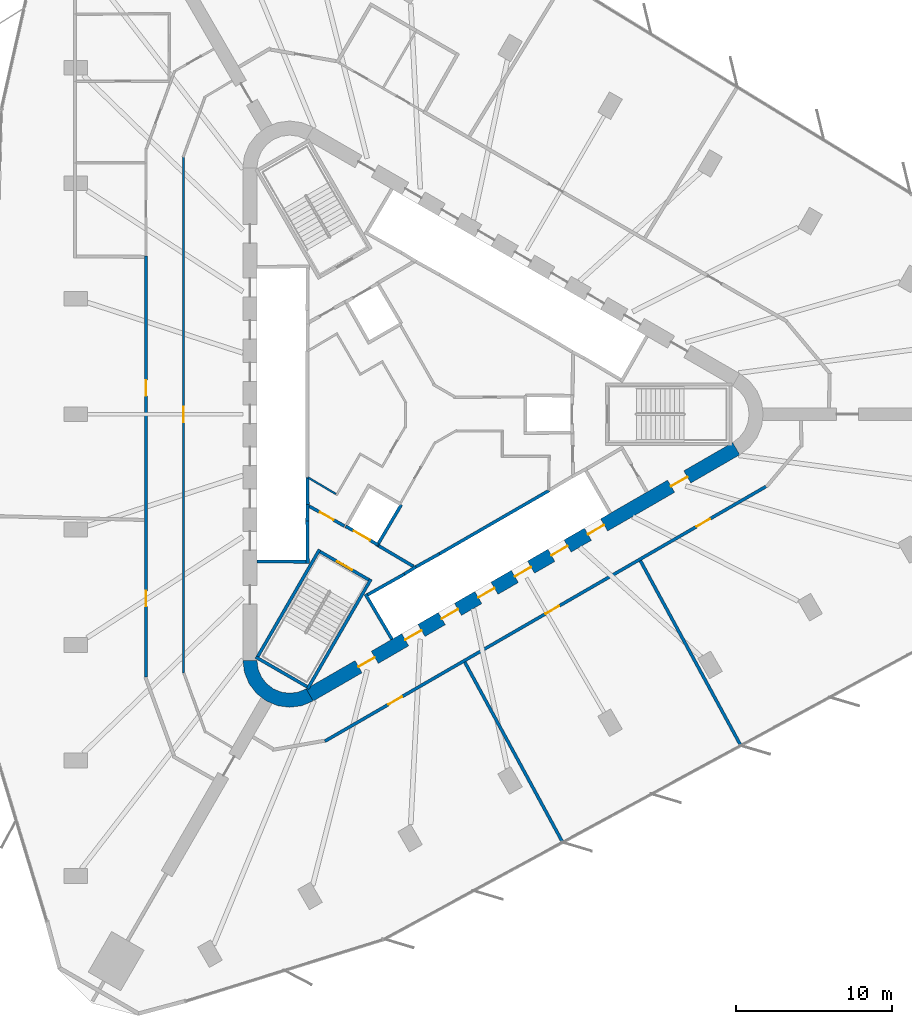
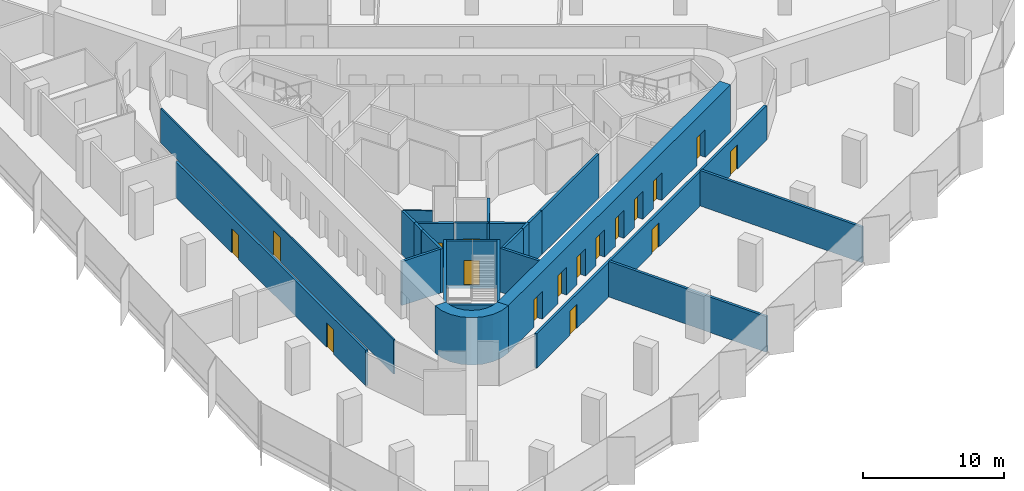
# One storey, part 9 of 14: 25 walls, 17 doors, 17 openings.
"""IFC4 building model written with IfcOpenShell, lengths in metres."""

import ifcopenshell
import ifcopenshell.guid

model = None  # the IFC model being written
_history = None  # IfcOwnerHistory: only IFC2X3 demands one
_inside = {}  # id of a spatial element -> (the spatial element, [elements in it])
_under = {}  # id of a project, library or spatial element -> (it, [spatial elements below it])
_declared = {}  # id of a project -> (the project, [libraries it declares])
_typed = {}  # id of a type object -> (the type object, [elements of that type])
_made_of = {}  # id of a material, layer set ... -> (it, [elements and type objects made of it])


def new_model(schema):
    """Start an empty IFC model of exactly this schema.

    Asked for "IFC4X3", IfcOpenShell would pick the latest addendum, in which some entities
    have other attributes; the version numbers below select the first issue.
    IFC2X3 requires an IfcOwnerHistory on every rooted entity: one is made here for all.
    """
    global model, _history
    if schema == "IFC4X3":
        model = ifcopenshell.file(schema_version=(4, 3, 0, 0))
    else:
        model = ifcopenshell.file(schema=schema)
    _inside.clear()
    _under.clear()
    _declared.clear()
    _typed.clear()
    _made_of.clear()
    _history = None
    if model.schema == "IFC2X3":
        org = make("IfcOrganization", Name="unknown")
        user = make(
            "IfcPersonAndOrganization",
            ThePerson=make("IfcPerson", FamilyName="unknown"),
            TheOrganization=org,
        )
        app = make(
            "IfcApplication",
            ApplicationDeveloper=org,
            Version="unknown",
            ApplicationFullName="unknown",
            ApplicationIdentifier="unknown",
        )
        _history = make(
            "IfcOwnerHistory",
            OwningUser=user,
            OwningApplication=app,
            ChangeAction="ADDED",
            CreationDate=0,
        )
    return model


def make(cls, **values):
    """One entity of the class cls with the attributes given. An attribute that is None is left unset."""
    return model.create_entity(
        cls, **{name: value for name, value in values.items() if value is not None}
    )


def rooted(cls, **values):
    """An entity with a GlobalId (a new one), such as an element, a storey or a relation."""
    return make(cls, GlobalId=ifcopenshell.guid.new(), OwnerHistory=_history, **values)


def si_unit(unit_type, name, prefix=None):
    """IfcSIUnit, for example si_unit("LENGTHUNIT", "METRE", prefix="MILLI")."""
    return make("IfcSIUnit", UnitType=unit_type, Prefix=prefix, Name=name)


def assignment(units):
    """IfcUnitAssignment: the units of a project."""
    return None if units is None else make("IfcUnitAssignment", Units=units)


def point(xyz):
    """IfcCartesianPoint."""
    return None if xyz is None else make("IfcCartesianPoint", Coordinates=xyz)


def direction(xyz):
    """IfcDirection."""
    return None if xyz is None else make("IfcDirection", DirectionRatios=xyz)


def frame(location, z_axis=None, x_axis=None):
    """IfcAxis2Placement3D, a coordinate frame: its origin and axes. An axis left out is left unset."""
    return make(
        "IfcAxis2Placement3D",
        Location=point(location),
        Axis=direction(z_axis),
        RefDirection=direction(x_axis),
    )


def frame_2d(location, x_axis=None):
    """IfcAxis2Placement2D, a coordinate frame in the plane: its origin and x axis."""
    return make(
        "IfcAxis2Placement2D", Location=point(location), RefDirection=direction(x_axis)
    )


def origin():
    """The frame at (0, 0, 0) with its axes left unset."""
    return frame((0.0, 0.0, 0.0))


def place(relative_to, where):
    """IfcLocalPlacement: puts the frame where relative to a parent placement (None: the world)."""
    return make(
        "IfcLocalPlacement", PlacementRelTo=relative_to, RelativePlacement=where
    )


def context(
    kind, dimensions, precision=None, world=None, true_north=None, identifier=None
):
    """IfcGeometricRepresentationContext, for example the 3D "Model" context."""
    return make(
        "IfcGeometricRepresentationContext",
        ContextIdentifier=identifier,
        ContextType=kind,
        CoordinateSpaceDimension=dimensions,
        Precision=precision,
        WorldCoordinateSystem=world,
        TrueNorth=true_north,
    )


def subcontext(parent, identifier, kind, view, scale=None):
    """IfcGeometricRepresentationSubContext, for example "Body" below "Model"."""
    return make(
        "IfcGeometricRepresentationSubContext",
        ContextIdentifier=identifier,
        ContextType=kind,
        ParentContext=parent,
        TargetScale=scale,
        TargetView=view,
    )


def project(units=None, contexts=None):
    """IfcProject with its units and contexts."""
    return rooted(
        "IfcProject",
        Name="project",
        RepresentationContexts=contexts,
        UnitsInContext=assignment(units),
    )


def spatial(cls, under=None, at=None, **own):
    """A site, building, storey or space (cls), placed at a placement, below another one or the project."""
    s = rooted(cls, ObjectPlacement=at, **own)
    if under is not None:
        _under.setdefault(under.id(), (under, []))[1].append(s)
    return s


def polyline(points):
    """IfcPolyline through the points."""
    return make("IfcPolyline", Points=[point(p) for p in points])


def profile(cls, at=None, kind="AREA", **sizes):
    """A parametric profile (cls). Its sizes go by their IFC names, for example OverallWidth=200.0."""
    return make(cls, ProfileType=kind, Position=at, **sizes)


def rectangle(**sizes):
    """IfcRectangleProfileDef."""
    return profile("IfcRectangleProfileDef", **sizes)


def outline(outer, holes=None, kind="AREA"):
    """IfcArbitraryClosedProfileDef: a profile drawn as a closed curve; with holes, ...WithVoids."""
    if holes is None:
        return make("IfcArbitraryClosedProfileDef", ProfileType=kind, OuterCurve=outer)
    return make(
        "IfcArbitraryProfileDefWithVoids",
        ProfileType=kind,
        OuterCurve=outer,
        InnerCurves=holes,
    )


def extrude(swept, where, along, depth):
    """IfcExtrudedAreaSolid: the profile swept, set in the frame where, extruded along a direction by depth."""
    return make(
        "IfcExtrudedAreaSolid",
        SweptArea=swept,
        Position=where,
        ExtrudedDirection=direction(along),
        Depth=depth,
    )


def shape(context_of_items, identifier, shape_type, items):
    """IfcShapeRepresentation: the items that make up one representation, for example the "Body"."""
    return make(
        "IfcShapeRepresentation",
        ContextOfItems=context_of_items,
        RepresentationIdentifier=identifier,
        RepresentationType=shape_type,
        Items=items,
    )


def material(Name=None, Category=None):
    """IfcMaterial."""
    return make("IfcMaterial", Name=Name, Category=Category)


def layer(
    of_material, thickness, ventilated=None, Name=None, Category=None, Priority=None
):
    """IfcMaterialLayer: one layer of a wall or slab, of a material (None: an air gap)."""
    return make(
        "IfcMaterialLayer",
        Material=of_material,
        LayerThickness=thickness,
        IsVentilated=ventilated,
        Name=Name,
        Category=Category,
        Priority=Priority,
    )


def layer_set(layers, Name=None):
    """IfcMaterialLayerSet."""
    return make("IfcMaterialLayerSet", MaterialLayers=layers, LayerSetName=Name)


def made_of(thing, what):
    """Note that an element or type object is made of a material, layer set ...; save() writes the relation."""
    if what is not None:
        _made_of.setdefault(what.id(), (what, []))[1].append(thing)
    return thing


def type_object(cls, material=None, **own):
    """A type object (cls), such as IfcWallType, which elements share."""
    return made_of(rooted(cls, **own), material)


def element(
    cls,
    number,
    at=None,
    inside=None,
    cuts=None,
    type_object=None,
    material=None,
    context=None,
    identifier="Body",
    shape_type=None,
    held_by="IfcProductDefinitionShape",
    body=None,
    shapes=None,
    **own,
):
    """One element of the class cls, such as IfcWall. Its Tag is "e" and its number.

    at: its placement. inside: the storey or other place that contains it. cuts: it is an
    opening in that element (IfcRelVoidsElement). A single representation is given by context,
    identifier, shape_type and body (its items); several are given by shapes. held_by: the class
    of the entity that holds the representations. save() writes the other relations.
    """
    e = rooted(cls, Tag="e%d" % number, ObjectPlacement=at, **own)
    if body is not None:
        shapes = [shape(context, identifier, shape_type, body)]
    if shapes is not None:
        e.Representation = make(held_by, Representations=shapes)
    if inside is not None:
        _inside.setdefault(inside.id(), (inside, []))[1].append(e)
    if cuts is not None:
        rooted(
            "IfcRelVoidsElement", RelatingBuildingElement=cuts, RelatedOpeningElement=e
        )
    if type_object is not None:
        _typed.setdefault(type_object.id(), (type_object, []))[1].append(e)
    return made_of(e, material)


def fill(opening, filler):
    """IfcRelFillsElement: the door or window that sits in an opening."""
    return rooted(
        "IfcRelFillsElement",
        RelatingOpeningElement=opening,
        RelatedBuildingElement=filler,
    )


def aggregate(whole, parts):
    """IfcRelAggregates: a whole, such as a stair, and the parts it consists of."""
    return rooted("IfcRelAggregates", RelatingObject=whole, RelatedObjects=parts)


def save(model, path):
    """Write the relations noted so far, then the file.

    IfcRelAggregates (storeys below a building ...), IfcRelContainedInSpatialStructure (elements
    in a storey), IfcRelDefinesByType, IfcRelAssociatesMaterial and IfcRelDeclares: one each for
    every whole, place, type object, material and project.
    """
    for whole, parts in _under.values():
        aggregate(whole, parts)
    for where, things in _inside.values():
        rooted(
            "IfcRelContainedInSpatialStructure",
            RelatedElements=things,
            RelatingStructure=where,
        )
    for kind, things in _typed.values():
        rooted("IfcRelDefinesByType", RelatedObjects=things, RelatingType=kind)
    for what, things in _made_of.values():
        rooted("IfcRelAssociatesMaterial", RelatedObjects=things, RelatingMaterial=what)
    for by, libraries in _declared.values():
        rooted("IfcRelDeclares", RelatingContext=by, RelatedDefinitions=libraries)
    model.write(path)


model = new_model("IFC4")

# Units and contexts
model_context = context("Model", 3, precision=1e-05, world=origin(), true_north=direction((0.0, 1.0)))
body_context = subcontext(model_context, "Body", "Model", "MODEL_VIEW")
ifc_project = project(units=[si_unit("LENGTHUNIT", "METRE"), si_unit("AREAUNIT", "SQUARE_METRE"), si_unit("VOLUMEUNIT", "CUBIC_METRE"), si_unit("PLANEANGLEUNIT", "RADIAN"), si_unit("MASSUNIT", "GRAM", prefix="KILO")], contexts=[model_context])

# Site, building, storey
site_placement = place(None, origin())
site = spatial("IfcSite", under=ifc_project, at=site_placement, CompositionType="ELEMENT")
building_placement = place(site_placement, origin())
building = spatial("IfcBuilding", under=site, at=building_placement, Name="Tanit Gate Tower", CompositionType="ELEMENT")
storey_placement = place(building_placement, frame((0.0, 0.0, 123.39990234375)))
storey = spatial("IfcBuildingStorey", under=building, at=storey_placement, Name="L26", CompositionType="ELEMENT", Elevation=123.39990234375)

# Wall, openings, doors
ifc_material_1 = material(Name="Concrete C60/75", Category="concrete")
ifc_layer_1 = layer(ifc_material_1, 0.89990234375)
ifc_layer_set_1 = layer_set([ifc_layer_1], Name="CORE WALL 900 C60/75")
wall_type_1 = type_object("IfcWallType", Name="CORE WALL 900 C60/75", PredefinedType="SHEAR", material=ifc_layer_set_1)
wall_1_placement = place(storey_placement, frame((-7.824951171875, -17.969970703125, 0.0), z_axis=(0.0, 0.0, 1.0), x_axis=(0.866028369851, 0.499994862586, 0.0)))
wall_1 = element("IfcWall", 1, at=wall_1_placement, inside=storey, type_object=wall_type_1, Name="CORE WALL", PredefinedType="SHEAR", context=body_context, shape_type="SweptSolid", body=[
    extrude(rectangle(XDim=31.523193359375, YDim=0.89990234375, at=frame_2d((15.76171875, 0.0))), origin(), (0.0, 0.0, 1.0), 4.10009765625),
])
opening_1_placement = place(wall_1_placement, frame((7.061767578125, 0.0, 0.0)))
opening_1 = element("IfcOpeningElement", 2, at=opening_1_placement, cuts=wall_1, Name="Opening LDSX1-S06", PredefinedType="OPENING", context=body_context, shape_type="SweptSolid", body=[
    extrude(rectangle(XDim=1.199951171875, YDim=2.39990234375, at=frame_2d((0.60009765625, 1.199951171875))), frame((0.0, 0.4599609375, 0.0), z_axis=(0.0, -1.0, 0.0), x_axis=(1.0, 0.0, 0.0)), (0.0, 0.0, 1.0), 0.919921875),
])
opening_2_placement = place(wall_1_placement, frame((9.76171875, 0.0, 0.0)))
opening_2 = element("IfcOpeningElement", 3, at=opening_2_placement, cuts=wall_1, Name="Opening LDSX2-S06", PredefinedType="OPENING", context=body_context, shape_type="SweptSolid", body=[
    extrude(rectangle(XDim=1.199951171875, YDim=2.39990234375, at=frame_2d((0.60009765625, 1.199951171875))), frame((0.0, 0.4599609375, 0.0), z_axis=(0.0, -1.0, 0.0), x_axis=(1.0, 0.0, 0.0)), (0.0, 0.0, 1.0), 0.919921875),
])
opening_3_placement = place(wall_1_placement, frame((12.461669921875, 0.0, 0.0)))
opening_3 = element("IfcOpeningElement", 4, at=opening_3_placement, cuts=wall_1, Name="Opening LDSX3-S06", PredefinedType="OPENING", context=body_context, shape_type="SweptSolid", body=[
    extrude(rectangle(XDim=1.199951171875, YDim=2.39990234375, at=frame_2d((0.60009765625, 1.199951171875))), frame((0.0, 0.4599609375, 0.0), z_axis=(0.0, -1.0, 0.0), x_axis=(1.0, 0.0, 0.0)), (0.0, 0.0, 1.0), 0.919921875),
])
opening_4_placement = place(wall_1_placement, frame((15.16162109375, 0.0, 0.0)))
opening_4 = element("IfcOpeningElement", 5, at=opening_4_placement, cuts=wall_1, Name="Opening LDSX4-S06", PredefinedType="OPENING", context=body_context, shape_type="SweptSolid", body=[
    extrude(rectangle(XDim=1.199951171875, YDim=2.39990234375, at=frame_2d((0.60009765625, 1.199951171875))), frame((0.0, 0.4599609375, 0.0), z_axis=(0.0, -1.0, 0.0), x_axis=(1.0, 0.0, 0.0)), (0.0, 0.0, 1.0), 0.919921875),
])
opening_5_placement = place(wall_1_placement, frame((17.861572265625, 0.0, 0.0)))
opening_5 = element("IfcOpeningElement", 6, at=opening_5_placement, cuts=wall_1, Name="Opening LDSV1-S06", PredefinedType="OPENING", context=body_context, shape_type="SweptSolid", body=[
    extrude(rectangle(XDim=1.199951171875, YDim=2.39990234375, at=frame_2d((0.60009765625, 1.199951171875))), frame((0.0, 0.4599609375, 0.0), z_axis=(0.0, -1.0, 0.0), x_axis=(1.0, 0.0, 0.0)), (0.0, 0.0, 1.0), 0.919921875),
])
opening_6_placement = place(wall_1_placement, frame((20.561767578125, 0.0, 0.0)))
opening_6 = element("IfcOpeningElement", 7, at=opening_6_placement, cuts=wall_1, Name="Opening LDSV2-S06", PredefinedType="OPENING", context=body_context, shape_type="SweptSolid", body=[
    extrude(rectangle(XDim=1.199951171875, YDim=2.39990234375, at=frame_2d((0.60009765625, 1.199951171875))), frame((0.0, 0.4599609375, 0.0), z_axis=(0.0, -1.0, 0.0), x_axis=(1.0, 0.0, 0.0)), (0.0, 0.0, 1.0), 0.919921875),
])
opening_7_placement = place(wall_1_placement, frame((26.711669921875, 0.0, 0.0)))
opening_7 = element("IfcOpeningElement", 8, at=opening_7_placement, cuts=wall_1, Name="Opening F12-S06-S1", PredefinedType="OPENING", context=body_context, shape_type="SweptSolid", body=[
    extrude(rectangle(XDim=1.199951171875, YDim=2.39990234375, at=frame_2d((0.60009765625, 1.199951171875))), frame((0.0, 0.4599609375, 0.0), z_axis=(0.0, -1.0, 0.0), x_axis=(1.0, 0.0, 0.0)), (0.0, 0.0, 1.0), 0.919921875),
])
opening_8_placement = place(wall_1_placement, frame((3.611572265625, 0.0, 0.0)))
opening_8 = element("IfcOpeningElement", 9, at=opening_8_placement, cuts=wall_1, Name="Opening F12-S06-FL3", PredefinedType="OPENING", context=body_context, shape_type="SweptSolid", body=[
    extrude(rectangle(XDim=1.199951171875, YDim=2.39990234375, at=frame_2d((0.60009765625, 1.199951171875))), frame((0.0, 0.4599609375, 0.0), z_axis=(0.0, -1.0, 0.0), x_axis=(1.0, 0.0, 0.0)), (0.0, 0.0, 1.0), 0.919921875),
])
ifc_material_2 = material(Name="Fire-rated steel door leaf", Category="steel")
door_type_1 = type_object("IfcDoorType", Name="INT-DOOR-FIRE-LOBBY-1200", OperationType="NOTDEFINED", PredefinedType="USERDEFINED", material=ifc_material_2)
door_1_placement = place(opening_7_placement, origin())
door_1 = element("IfcDoor", 10, at=door_1_placement, inside=storey, type_object=door_type_1, Name="Door F12-S06-S1", ObjectType="FIRE DOOR", OperationType="SINGLE_SWING_RIGHT", OverallHeight=2.39990234375, OverallWidth=1.199951171875, PredefinedType="USERDEFINED", context=body_context, shape_type="SweptSolid", body=[
    extrude(rectangle(XDim=1.199951171875, YDim=2.39990234375, at=frame_2d((0.60009765625, 1.199951171875))), frame((0.0, 0.02490234375, 0.0), z_axis=(0.0, -1.0, 0.0), x_axis=(1.0, 0.0, 0.0)), (0.0, 0.0, 1.0), 0.050048828125),
])
fill(opening_7, door_1)
door_2_placement = place(opening_8_placement, origin())
door_2 = element("IfcDoor", 11, at=door_2_placement, inside=storey, type_object=door_type_1, Name="Door F12-S06-FL3", ObjectType="FIRE DOOR", OperationType="SINGLE_SWING_RIGHT", OverallHeight=2.39990234375, OverallWidth=1.199951171875, PredefinedType="USERDEFINED", context=body_context, shape_type="SweptSolid", body=[
    extrude(rectangle(XDim=1.199951171875, YDim=2.39990234375, at=frame_2d((0.60009765625, 1.199951171875))), frame((0.0, 0.02490234375, 0.0), z_axis=(0.0, -1.0, 0.0), x_axis=(1.0, 0.0, 0.0)), (0.0, 0.0, 1.0), 0.050048828125),
])
fill(opening_8, door_2)
ifc_material_3 = material(Name="Stainless steel sliding door leaf", Category="steel")
door_type_2 = type_object("IfcDoorType", Name="INT-DOOR-LANDING-1200", OperationType="NOTDEFINED", PredefinedType="USERDEFINED", material=ifc_material_3)
door_3_placement = place(opening_1_placement, origin())
door_3 = element("IfcDoor", 12, at=door_3_placement, inside=storey, type_object=door_type_2, Name="Door LDSX1-S06", ObjectType="LANDING DOOR", OperationType="SLIDING_TO_LEFT", OverallHeight=2.39990234375, OverallWidth=1.199951171875, PredefinedType="USERDEFINED", context=body_context, shape_type="SweptSolid", body=[
    extrude(rectangle(XDim=1.199951171875, YDim=2.39990234375, at=frame_2d((0.60009765625, 1.199951171875))), frame((0.0, 0.02490234375, 0.0), z_axis=(0.0, -1.0, 0.0), x_axis=(1.0, 0.0, 0.0)), (0.0, 0.0, 1.0), 0.050048828125),
])
fill(opening_1, door_3)
door_4_placement = place(opening_2_placement, origin())
door_4 = element("IfcDoor", 13, at=door_4_placement, inside=storey, type_object=door_type_2, Name="Door LDSX2-S06", ObjectType="LANDING DOOR", OperationType="SLIDING_TO_LEFT", OverallHeight=2.39990234375, OverallWidth=1.199951171875, PredefinedType="USERDEFINED", context=body_context, shape_type="SweptSolid", body=[
    extrude(rectangle(XDim=1.199951171875, YDim=2.39990234375, at=frame_2d((0.60009765625, 1.199951171875))), frame((0.0, 0.02490234375, 0.0), z_axis=(0.0, -1.0, 0.0), x_axis=(1.0, 0.0, 0.0)), (0.0, 0.0, 1.0), 0.050048828125),
])
fill(opening_2, door_4)
door_5_placement = place(opening_3_placement, origin())
door_5 = element("IfcDoor", 14, at=door_5_placement, inside=storey, type_object=door_type_2, Name="Door LDSX3-S06", ObjectType="LANDING DOOR", OperationType="SLIDING_TO_LEFT", OverallHeight=2.39990234375, OverallWidth=1.199951171875, PredefinedType="USERDEFINED", context=body_context, shape_type="SweptSolid", body=[
    extrude(rectangle(XDim=1.199951171875, YDim=2.39990234375, at=frame_2d((0.60009765625, 1.199951171875))), frame((0.0, 0.02490234375, 0.0), z_axis=(0.0, -1.0, 0.0), x_axis=(1.0, 0.0, 0.0)), (0.0, 0.0, 1.0), 0.050048828125),
])
fill(opening_3, door_5)
door_6_placement = place(opening_4_placement, origin())
door_6 = element("IfcDoor", 15, at=door_6_placement, inside=storey, type_object=door_type_2, Name="Door LDSX4-S06", ObjectType="LANDING DOOR", OperationType="SLIDING_TO_LEFT", OverallHeight=2.39990234375, OverallWidth=1.199951171875, PredefinedType="USERDEFINED", context=body_context, shape_type="SweptSolid", body=[
    extrude(rectangle(XDim=1.199951171875, YDim=2.39990234375, at=frame_2d((0.60009765625, 1.199951171875))), frame((0.0, 0.02490234375, 0.0), z_axis=(0.0, -1.0, 0.0), x_axis=(1.0, 0.0, 0.0)), (0.0, 0.0, 1.0), 0.050048828125),
])
fill(opening_4, door_6)
door_7_placement = place(opening_5_placement, origin())
door_7 = element("IfcDoor", 16, at=door_7_placement, inside=storey, type_object=door_type_2, Name="Door LDSV1-S06", ObjectType="LANDING DOOR", OperationType="SLIDING_TO_LEFT", OverallHeight=2.39990234375, OverallWidth=1.199951171875, PredefinedType="USERDEFINED", context=body_context, shape_type="SweptSolid", body=[
    extrude(rectangle(XDim=1.199951171875, YDim=2.39990234375, at=frame_2d((0.60009765625, 1.199951171875))), frame((0.0, 0.02490234375, 0.0), z_axis=(0.0, -1.0, 0.0), x_axis=(1.0, 0.0, 0.0)), (0.0, 0.0, 1.0), 0.050048828125),
])
fill(opening_5, door_7)
door_8_placement = place(opening_6_placement, origin())
door_8 = element("IfcDoor", 17, at=door_8_placement, inside=storey, type_object=door_type_2, Name="Door LDSV2-S06", ObjectType="LANDING DOOR", OperationType="SLIDING_TO_LEFT", OverallHeight=2.39990234375, OverallWidth=1.199951171875, PredefinedType="USERDEFINED", context=body_context, shape_type="SweptSolid", body=[
    extrude(rectangle(XDim=1.199951171875, YDim=2.39990234375, at=frame_2d((0.60009765625, 1.199951171875))), frame((0.0, 0.02490234375, 0.0), z_axis=(0.0, -1.0, 0.0), x_axis=(1.0, 0.0, 0.0)), (0.0, 0.0, 1.0), 0.050048828125),
])
fill(opening_6, door_8)

# Walls
wall_2_placement = place(storey_placement, origin())
element("IfcWall", 18, at=wall_2_placement, inside=storey, type_object=wall_type_1, Name="CORE WALL CORNER", PredefinedType="SHEAR", context=body_context, shape_type="SweptSolid", body=[
    extrude(outline(polyline([(-12.10009765625, -15.76171875), (-11.997802734375, -16.5380859375), (-11.697998046875, -17.26171875), (-11.22119140625, -17.883056640625), (-10.60009765625, -18.359619140625), (-9.87646484375, -18.659423828125), (-9.10009765625, -18.76171875), (-8.323486328125, -18.659423828125), (-7.60009765625, -18.359619140625), (-8.050048828125, -17.580322265625), (-8.556396484375, -17.7900390625), (-9.10009765625, -17.86181640625), (-9.6435546875, -17.7900390625), (-10.14990234375, -17.580322265625), (-10.5849609375, -17.24658203125), (-10.918701171875, -16.811767578125), (-11.12841796875, -16.30517578125), (-11.199951171875, -15.76171875), (-12.10009765625, -15.76171875)])), origin(), (0.0, 0.0, 1.0), 4.10009765625),
])
ifc_material_4 = material(Name="Fire-rated gypsum board partition")
ifc_layer_2 = layer(ifc_material_4, 0.199951171875)
ifc_layer_set_2 = layer_set([ifc_layer_2], Name="INT-WALL-COMPARTMENT")
wall_type_2 = type_object("IfcWallType", Name="INT-WALL-COMPARTMENT", PredefinedType="PARTITIONING", material=ifc_layer_set_2)
wall_3_placement = place(storey_placement, frame((-3.400634765625, -8.43017578125, 0.0), z_axis=(0.0, 0.0, 1.0), x_axis=(0.860615607571, -0.509255118781, 0.0)))
element("IfcWall", 19, at=wall_3_placement, inside=storey, type_object=wall_type_2, Name="Wall Compartment W063", PredefinedType="PARTITIONING", context=body_context, shape_type="SweptSolid", body=[
    extrude(rectangle(XDim=2.58056640625, YDim=0.199951171875, at=frame_2d((1.290283203125, 0.0))), origin(), (0.0, 0.0, 1.0), 3.800048828125),
])

# Wall, opening, door
wall_4_placement = place(storey_placement, frame((-7.849365234375, -5.893798828125, 0.0), z_axis=(0.0, 0.0, 1.0), x_axis=(0.871363259478, -0.490638431059, 0.0)))
wall_4 = element("IfcWall", 20, at=wall_4_placement, inside=storey, type_object=wall_type_2, Name="Wall Compartment W064", PredefinedType="PARTITIONING", context=body_context, shape_type="SweptSolid", body=[
    extrude(rectangle(XDim=2.5810546875, YDim=0.199951171875, at=frame_2d((1.29052734375, 0.0))), origin(), (0.0, 0.0, 1.0), 3.800048828125),
])
opening_9_placement = place(wall_4_placement, frame((0.79052734375, 0.0, 0.0)))
opening_9 = element("IfcOpeningElement", 21, at=opening_9_placement, cuts=wall_4, Name="Opening F10-S06-08", PredefinedType="OPENING", context=body_context, shape_type="SweptSolid", body=[
    extrude(rectangle(XDim=1.0, YDim=2.10009765625, at=frame_2d((0.5, 1.050048828125))), frame((0.0, 0.10986328125, 0.0), z_axis=(0.0, -1.0, 0.0), x_axis=(1.0, 0.0, 0.0)), (0.0, 0.0, 1.0), 0.219970703125),
])
ifc_material_5 = material(Name="Fire-rated steel door leaf", Category="steel")
door_type_3 = type_object("IfcDoorType", Name="INT-DOOR-FIRE-1000", OperationType="NOTDEFINED", PredefinedType="USERDEFINED", material=ifc_material_5)
door_9_placement = place(opening_9_placement, origin())
door_9 = element("IfcDoor", 22, at=door_9_placement, inside=storey, type_object=door_type_3, Name="Door F10-S06-08", ObjectType="FIRE DOOR", OperationType="SINGLE_SWING_LEFT", OverallHeight=2.10009765625, OverallWidth=1.0, PredefinedType="USERDEFINED", context=body_context, shape_type="SweptSolid", body=[
    extrude(rectangle(XDim=1.0, YDim=2.10009765625, at=frame_2d((0.5, 1.050048828125))), frame((0.0, 0.02490234375, 0.0), z_axis=(0.0, -1.0, 0.0), x_axis=(1.0, 0.0, 0.0)), (0.0, 0.0, 1.0), 0.050048828125),
])
fill(opening_9, door_9)

# Wall, openings, doors
wall_5_placement = place(storey_placement, frame((-18.300048828125, 10.1298828125, 0.0), z_axis=(0.0, 0.0, 1.0), x_axis=(0.0, -1.0, 0.0)))
wall_5 = element("IfcWall", 23, at=wall_5_placement, inside=storey, type_object=wall_type_2, Name="Wall Compartment W091", PredefinedType="PARTITIONING", context=body_context, shape_type="SweptSolid", body=[
    extrude(rectangle(XDim=26.964111328125, YDim=0.199951171875, at=frame_2d((13.48193359375, 0.0))), origin(), (0.0, 0.0, 1.0), 3.080078125),
])
opening_10_placement = place(wall_5_placement, frame((21.43408203125, 0.0, 0.0)))
opening_10 = element("IfcOpeningElement", 24, at=opening_10_placement, cuts=wall_5, Name="Opening F10-S06-21", PredefinedType="OPENING", context=body_context, shape_type="SweptSolid", body=[
    extrude(rectangle(XDim=1.0, YDim=2.10009765625, at=frame_2d((0.5, 1.050048828125))), frame((0.0, 0.10986328125, 0.0), z_axis=(0.0, -1.0, 0.0), x_axis=(1.0, 0.0, 0.0)), (0.0, 0.0, 1.0), 0.219970703125),
])
opening_11_placement = place(wall_5_placement, frame((7.951904296875, 0.0, 0.0)))
opening_11 = element("IfcOpeningElement", 25, at=opening_11_placement, cuts=wall_5, Name="Opening F10-S06-22", PredefinedType="OPENING", context=body_context, shape_type="SweptSolid", body=[
    extrude(rectangle(XDim=1.0, YDim=2.10009765625, at=frame_2d((0.5, 1.050048828125))), frame((0.0, 0.10986328125, 0.0), z_axis=(0.0, -1.0, 0.0), x_axis=(1.0, 0.0, 0.0)), (0.0, 0.0, 1.0), 0.219970703125),
])
door_10_placement = place(opening_10_placement, origin())
door_10 = element("IfcDoor", 26, at=door_10_placement, inside=storey, type_object=door_type_3, Name="Door F10-S06-21", ObjectType="FIRE DOOR", OperationType="SINGLE_SWING_LEFT", OverallHeight=2.10009765625, OverallWidth=1.0, PredefinedType="USERDEFINED", context=body_context, shape_type="SweptSolid", body=[
    extrude(rectangle(XDim=1.0, YDim=2.10009765625, at=frame_2d((0.5, 1.050048828125))), frame((0.0, 0.02490234375, 0.0), z_axis=(0.0, -1.0, 0.0), x_axis=(1.0, 0.0, 0.0)), (0.0, 0.0, 1.0), 0.050048828125),
])
fill(opening_10, door_10)
door_11_placement = place(opening_11_placement, origin())
door_11 = element("IfcDoor", 27, at=door_11_placement, inside=storey, type_object=door_type_3, Name="Door F10-S06-22", ObjectType="FIRE DOOR", OperationType="SINGLE_SWING_LEFT", OverallHeight=2.10009765625, OverallWidth=1.0, PredefinedType="USERDEFINED", context=body_context, shape_type="SweptSolid", body=[
    extrude(rectangle(XDim=1.0, YDim=2.10009765625, at=frame_2d((0.5, 1.050048828125))), frame((0.0, 0.02490234375, 0.0), z_axis=(0.0, -1.0, 0.0), x_axis=(1.0, 0.0, 0.0)), (0.0, 0.0, 1.0), 0.050048828125),
])
fill(opening_11, door_11)

wall_6_placement = place(storey_placement, frame((-6.852294921875, -20.930419921875, 0.0), z_axis=(0.0, 0.0, 1.0), x_axis=(0.866023703603, 0.500002944789, 0.0)))
wall_6 = element("IfcWall", 28, at=wall_6_placement, inside=storey, type_object=wall_type_2, Name="Wall Compartment W110", PredefinedType="PARTITIONING", context=body_context, shape_type="SweptSolid", body=[
    extrude(rectangle(XDim=32.598876953125, YDim=0.199951171875, at=frame_2d((16.29931640625, 0.0))), origin(), (0.0, 0.0, 1.0), 2.97998046875),
])
opening_12_placement = place(wall_6_placement, frame((27.462890625, 0.0, 0.0)))
opening_12 = element("IfcOpeningElement", 29, at=opening_12_placement, cuts=wall_6, Name="Opening F10-S06-26", PredefinedType="OPENING", context=body_context, shape_type="SweptSolid", body=[
    extrude(rectangle(XDim=1.0, YDim=2.10009765625, at=frame_2d((0.5, 1.050048828125))), frame((0.0, 0.10986328125, 0.0), z_axis=(0.0, -1.0, 0.0), x_axis=(1.0, 0.0, 0.0)), (0.0, 0.0, 1.0), 0.219970703125),
])
opening_13_placement = place(wall_6_placement, frame((16.30712890625, 0.0, 0.0)))
opening_13 = element("IfcOpeningElement", 30, at=opening_13_placement, cuts=wall_6, Name="Opening F10-S06-27", PredefinedType="OPENING", context=body_context, shape_type="SweptSolid", body=[
    extrude(rectangle(XDim=1.0, YDim=2.10009765625, at=frame_2d((0.5, 1.050048828125))), frame((0.0, 0.10986328125, 0.0), z_axis=(0.0, -1.0, 0.0), x_axis=(1.0, 0.0, 0.0)), (0.0, 0.0, 1.0), 0.219970703125),
])
opening_14_placement = place(wall_6_placement, frame((4.693603515625, 0.0, 0.0)))
opening_14 = element("IfcOpeningElement", 31, at=opening_14_placement, cuts=wall_6, Name="Opening F10-S06-28", PredefinedType="OPENING", context=body_context, shape_type="SweptSolid", body=[
    extrude(rectangle(XDim=1.0, YDim=2.10009765625, at=frame_2d((0.5, 1.050048828125))), frame((0.0, 0.10986328125, 0.0), z_axis=(0.0, -1.0, 0.0), x_axis=(1.0, 0.0, 0.0)), (0.0, 0.0, 1.0), 0.219970703125),
])
door_12_placement = place(opening_12_placement, origin())
door_12 = element("IfcDoor", 32, at=door_12_placement, inside=storey, type_object=door_type_3, Name="Door F10-S06-26", ObjectType="FIRE DOOR", OperationType="SINGLE_SWING_LEFT", OverallHeight=2.10009765625, OverallWidth=1.0, PredefinedType="USERDEFINED", context=body_context, shape_type="SweptSolid", body=[
    extrude(rectangle(XDim=1.0, YDim=2.10009765625, at=frame_2d((0.5, 1.050048828125))), frame((0.0, 0.02490234375, 0.0), z_axis=(0.0, -1.0, 0.0), x_axis=(1.0, 0.0, 0.0)), (0.0, 0.0, 1.0), 0.050048828125),
])
fill(opening_12, door_12)
door_13_placement = place(opening_13_placement, origin())
door_13 = element("IfcDoor", 33, at=door_13_placement, inside=storey, type_object=door_type_3, Name="Door F10-S06-27", ObjectType="FIRE DOOR", OperationType="SINGLE_SWING_LEFT", OverallHeight=2.10009765625, OverallWidth=1.0, PredefinedType="USERDEFINED", context=body_context, shape_type="SweptSolid", body=[
    extrude(rectangle(XDim=1.0, YDim=2.10009765625, at=frame_2d((0.5, 1.050048828125))), frame((0.0, 0.02490234375, 0.0), z_axis=(0.0, -1.0, 0.0), x_axis=(1.0, 0.0, 0.0)), (0.0, 0.0, 1.0), 0.050048828125),
])
fill(opening_13, door_13)
door_14_placement = place(opening_14_placement, origin())
door_14 = element("IfcDoor", 34, at=door_14_placement, inside=storey, type_object=door_type_3, Name="Door F10-S06-28", ObjectType="FIRE DOOR", OperationType="SINGLE_SWING_RIGHT", OverallHeight=2.10009765625, OverallWidth=1.0, PredefinedType="USERDEFINED", context=body_context, shape_type="SweptSolid", body=[
    extrude(rectangle(XDim=1.0, YDim=2.10009765625, at=frame_2d((0.5, 1.050048828125))), frame((0.0, 0.02490234375, 0.0), z_axis=(0.0, -1.0, 0.0), x_axis=(1.0, 0.0, 0.0)), (0.0, 0.0, 1.0), 0.050048828125),
])
fill(opening_14, door_14)

# Walls
wall_7_placement = place(storey_placement, frame((13.34521484375, -9.384765625, 0.0), z_axis=(0.0, 0.0, 1.0), x_axis=(0.477273420177, -0.878754847721, 0.0)))
element("IfcWall", 35, at=wall_7_placement, inside=storey, type_object=wall_type_2, Name="Wall Compartment W133", PredefinedType="PARTITIONING", context=body_context, shape_type="SweptSolid", body=[
    extrude(rectangle(XDim=13.442138671875, YDim=0.199951171875, at=frame_2d((6.72119140625, 0.0))), origin(), (0.0, 0.0, 1.0), 3.080078125),
])
wall_8_placement = place(storey_placement, frame((8.3583984375, -27.3896484375, 0.0), z_axis=(0.0, 0.0, 1.0), x_axis=(-0.477258783959, 0.878762796854, 0.0)))
element("IfcWall", 36, at=wall_8_placement, inside=storey, type_object=wall_type_2, Name="Wall Compartment W134", PredefinedType="PARTITIONING", context=body_context, shape_type="SweptSolid", body=[
    extrude(rectangle(XDim=13.103759765625, YDim=0.199951171875, at=frame_2d((6.5517578125, 0.0))), origin(), (0.0, 0.0, 1.0), 3.080078125),
])
ifc_material_6 = material(Name="Gypsum board partition")
ifc_layer_3 = layer(ifc_material_6, 0.1201171875)
ifc_layer_set_3 = layer_set([ifc_layer_3], Name="INT-WALL-PARTITION")
wall_type_3 = type_object("IfcWallType", Name="INT-WALL-PARTITION", PredefinedType="PARTITIONING", material=ifc_layer_set_3)
wall_9_placement = place(storey_placement, frame((-7.949951171875, -4.041015625, 0.0), z_axis=(0.0, 0.0, 1.0), x_axis=(0.860112457103, -0.510104461004, 0.0)))
element("IfcWall", 37, at=wall_9_placement, inside=storey, type_object=wall_type_3, Name="Wall Partition W082", PredefinedType="PARTITIONING", context=body_context, shape_type="SweptSolid", body=[
    extrude(rectangle(XDim=2.1044921875, YDim=0.1201171875, at=frame_2d((1.05224609375, 0.0))), origin(), (0.0, 0.0, 1.0), 3.800048828125),
])

# Wall, opening, door
wall_10_placement = place(storey_placement, frame((-15.89990234375, 16.451171875, 0.0), z_axis=(0.0, 0.0, 1.0), x_axis=(0.0, -1.0, 0.0)))
wall_10 = element("IfcWall", 38, at=wall_10_placement, inside=storey, type_object=wall_type_3, Name="Wall Partition W085", PredefinedType="PARTITIONING", context=body_context, shape_type="SweptSolid", body=[
    extrude(rectangle(XDim=33.022216796875, YDim=0.1201171875, at=frame_2d((16.51123046875, 0.0))), origin(), (0.0, 0.0, 1.0), 2.97998046875),
])
opening_15_placement = place(wall_10_placement, frame((15.981201171875, 0.0, 0.0)))
opening_15 = element("IfcOpeningElement", 39, at=opening_15_placement, cuts=wall_10, Name="Opening D10-S06-14", PredefinedType="OPENING", context=body_context, shape_type="SweptSolid", body=[
    extrude(rectangle(XDim=1.0, YDim=2.10009765625, at=frame_2d((0.5, 1.050048828125))), frame((0.0, 0.070068359375, 0.0), z_axis=(0.0, -1.0, 0.0), x_axis=(1.0, 0.0, 0.0)), (0.0, 0.0, 1.0), 0.14013671875),
])
ifc_material_7 = material(Name="Timber door leaf", Category="wood")
door_type_4 = type_object("IfcDoorType", Name="INT-DOOR-SINGLE-1000", OperationType="NOTDEFINED", PredefinedType="NOTDEFINED", material=ifc_material_7)
door_15_placement = place(opening_15_placement, origin())
door_15 = element("IfcDoor", 40, at=door_15_placement, inside=storey, type_object=door_type_4, Name="Door D10-S06-14", OperationType="SINGLE_SWING_RIGHT", OverallHeight=2.10009765625, OverallWidth=1.0, PredefinedType="NOTDEFINED", context=body_context, shape_type="SweptSolid", body=[
    extrude(rectangle(XDim=1.0, YDim=2.10009765625, at=frame_2d((0.5, 1.050048828125))), frame((0.0, 0.02490234375, 0.0), z_axis=(0.0, -1.0, 0.0), x_axis=(1.0, 0.0, 0.0)), (0.0, 0.0, 1.0), 0.050048828125),
])
fill(opening_15, door_15)

# Walls
ifc_material_8 = material(Name="Gypsum shaft wall system")
ifc_layer_4 = layer(ifc_material_8, 0.199951171875)
ifc_layer_set_4 = layer_set([ifc_layer_4], Name="INT-WALL-SHAFT")
wall_type_4 = type_object("IfcWallType", Name="INT-WALL-SHAFT", PredefinedType="PLUMBINGWALL", material=ifc_layer_set_4)
wall_11_placement = place(storey_placement, frame((-7.949951171875, -5.7724609375, 0.0), z_axis=(0.0, 0.0, 1.0), x_axis=(-0.030803413295, -0.999525462272, 0.0)))
element("IfcWall", 41, at=wall_11_placement, inside=storey, type_object=wall_type_4, Name="Wall Shaft W009", PredefinedType="PLUMBINGWALL", context=body_context, shape_type="SweptSolid", body=[
    extrude(rectangle(XDim=1.077880859375, YDim=0.199951171875, at=frame_2d((0.5390625, 0.0))), origin(), (0.0, 0.0, 1.0), 3.800048828125),
])
wall_12_placement = place(storey_placement, frame((-7.971435546875, -4.050048828125, 0.0), z_axis=(0.0, 0.0, 1.0), x_axis=(0.012042535896, -0.999927486035, 0.0)))
element("IfcWall", 42, at=wall_12_placement, inside=storey, type_object=wall_type_4, Name="Wall Shaft W010", PredefinedType="PLUMBINGWALL", context=body_context, shape_type="SweptSolid", body=[
    extrude(rectangle(XDim=1.844970703125, YDim=0.199951171875, at=frame_2d((0.92236328125, 0.0))), origin(), (0.0, 0.0, 1.0), 3.800048828125),
])
wall_13_placement = place(storey_placement, frame((-7.97900390625, -6.85009765625, 0.0), z_axis=(0.0, 0.0, 1.0), x_axis=(0.011121475088, -0.999938154483, 0.0)))
element("IfcWall", 43, at=wall_13_placement, inside=storey, type_object=wall_type_4, Name="Wall Shaft W011", PredefinedType="PLUMBINGWALL", context=body_context, shape_type="SweptSolid", body=[
    extrude(rectangle(XDim=2.7001953125, YDim=0.199951171875, at=frame_2d((1.35009765625, 0.0))), origin(), (0.0, 0.0, 1.0), 3.800048828125),
])
wall_14_placement = place(storey_placement, frame((-8.050048828125, -9.448974609375, 0.0), z_axis=(0.0, 0.0, 1.0), x_axis=(-0.999957467379, 0.009222983926, 0.0)))
element("IfcWall", 44, at=wall_14_placement, inside=storey, type_object=wall_type_4, Name="Wall Shaft W012", PredefinedType="PLUMBINGWALL", context=body_context, shape_type="SweptSolid", body=[
    extrude(rectangle(XDim=3.150146484375, YDim=0.199951171875, at=frame_2d((1.5751953125, 0.0))), origin(), (0.0, 0.0, 1.0), 3.800048828125),
])
wall_15_placement = place(storey_placement, frame((0.482666015625, -8.935791015625, 0.0), z_axis=(0.0, 0.0, 1.0), x_axis=(0.866030989016, 0.499990325971, 0.0)))
element("IfcWall", 45, at=wall_15_placement, inside=storey, type_object=wall_type_4, Name="Wall Shaft W031", PredefinedType="PLUMBINGWALL", context=body_context, shape_type="SweptSolid", body=[
    extrude(rectangle(XDim=8.099853515625, YDim=0.199951171875, at=frame_2d((4.0498046875, 0.0))), origin(), (0.0, 0.0, 1.0), 3.800048828125),
])
wall_16_placement = place(storey_placement, frame((-2.557861328125, -14.409423828125, 0.0), z_axis=(0.0, 0.0, 1.0), x_axis=(-0.507997497166, 0.861358544901, 0.0)))
element("IfcWall", 46, at=wall_16_placement, inside=storey, type_object=wall_type_4, Name="Wall Shaft W027", PredefinedType="PLUMBINGWALL", context=body_context, shape_type="SweptSolid", body=[
    extrude(rectangle(XDim=3.350341796875, YDim=0.199951171875, at=frame_2d((1.67529296875, 0.0))), origin(), (0.0, 0.0, 1.0), 3.800048828125),
])
wall_17_placement = place(storey_placement, frame((-1.7685546875, -10.23681640625, 0.0), z_axis=(0.0, 0.0, 1.0), x_axis=(-0.871534483978, -0.490334215854, 0.0)))
element("IfcWall", 47, at=wall_17_placement, inside=storey, type_object=wall_type_4, Name="Wall Shaft W028", PredefinedType="PLUMBINGWALL", context=body_context, shape_type="SweptSolid", body=[
    extrude(rectangle(XDim=2.7001953125, YDim=0.199951171875, at=frame_2d((1.35009765625, 0.0))), origin(), (0.0, 0.0, 1.0), 3.800048828125),
])
wall_18_placement = place(storey_placement, frame((-1.02392578125, -9.77099609375, 0.0), z_axis=(0.0, 0.0, 1.0), x_axis=(-0.850348075135, -0.526220629693, 0.0)))
element("IfcWall", 48, at=wall_18_placement, inside=storey, type_object=wall_type_4, Name="Wall Shaft W029", PredefinedType="PLUMBINGWALL", context=body_context, shape_type="SweptSolid", body=[
    extrude(rectangle(XDim=0.878173828125, YDim=0.199951171875, at=frame_2d((0.43896484375, 0.0))), origin(), (0.0, 0.0, 1.0), 3.800048828125),
])
wall_19_placement = place(storey_placement, frame((-1.130126953125, -9.831298828125, 0.0), z_axis=(0.0, 0.0, 1.0), x_axis=(0.874269620932, 0.485440655401, 0.0)))
element("IfcWall", 49, at=wall_19_placement, inside=storey, type_object=wall_type_4, Name="Wall Shaft W030", PredefinedType="PLUMBINGWALL", context=body_context, shape_type="SweptSolid", body=[
    extrude(rectangle(XDim=1.8447265625, YDim=0.199951171875, at=frame_2d((0.92236328125, 0.0))), origin(), (0.0, 0.0, 1.0), 3.800048828125),
])

# Wall, opening, door
wall_20_placement = place(storey_placement, frame((-3.44580078125, -8.3681640625, 0.0), z_axis=(0.0, 0.0, 1.0), x_axis=(-0.866024647952, 0.500001309137, 0.0)))
wall_20 = element("IfcWall", 50, at=wall_20_placement, inside=storey, type_object=wall_type_4, Name="Wall Shaft W053", PredefinedType="PLUMBINGWALL", context=body_context, shape_type="SweptSolid", body=[
    extrude(rectangle(XDim=2.39990234375, YDim=0.199951171875, at=frame_2d((1.199951171875, 0.0))), origin(), (0.0, 0.0, 1.0), 3.800048828125),
])
opening_16_placement = place(wall_20_placement, frame((0.60009765625, 0.0, 0.0)))
opening_16 = element("IfcOpeningElement", 51, at=opening_16_placement, cuts=wall_20, Name="Opening LDFL3-L26", PredefinedType="OPENING", context=body_context, shape_type="SweptSolid", body=[
    extrude(rectangle(XDim=1.199951171875, YDim=2.39990234375, at=frame_2d((0.60009765625, 1.199951171875))), frame((0.0, 0.10986328125, 0.0), z_axis=(0.0, -1.0, 0.0), x_axis=(1.0, 0.0, 0.0)), (0.0, 0.0, 1.0), 0.219970703125),
])
door_16_placement = place(opening_16_placement, origin())
door_16 = element("IfcDoor", 52, at=door_16_placement, inside=storey, type_object=door_type_2, Name="Door LDFL3-L26", ObjectType="LANDING DOOR", OperationType="SLIDING_TO_LEFT", OverallHeight=2.39990234375, OverallWidth=1.199951171875, PredefinedType="USERDEFINED", context=body_context, shape_type="SweptSolid", body=[
    extrude(rectangle(XDim=1.199951171875, YDim=2.39990234375, at=frame_2d((0.60009765625, 1.199951171875))), frame((0.0, 0.02490234375, 0.0), z_axis=(0.0, -1.0, 0.0), x_axis=(1.0, 0.0, 0.0)), (0.0, 0.0, 1.0), 0.050048828125),
])
fill(opening_16, door_16)

# Walls
wall_21_placement = place(storey_placement, frame((-1.960693359375, -5.796142578125, 0.0), z_axis=(0.0, 0.0, 1.0), x_axis=(-0.508647062354, -0.860975125052, 0.0)))
element("IfcWall", 53, at=wall_21_placement, inside=storey, type_object=wall_type_4, Name="Wall Shaft W054", PredefinedType="PLUMBINGWALL", context=body_context, shape_type="SweptSolid", body=[
    extrude(rectangle(XDim=3.10009765625, YDim=0.199951171875, at=frame_2d((1.550048828125, 0.0))), origin(), (0.0, 0.0, 1.0), 3.800048828125),
])
ifc_material_9 = material(Name="Concrete C40/50", Category="concrete")
ifc_layer_5 = layer(ifc_material_9, 0.199951171875)
ifc_layer_set_5 = layer_set([ifc_layer_5], Name="INT-WALL-STAIR")
wall_type_5 = type_object("IfcWallType", Name="INT-WALL-STAIR", PredefinedType="SHEAR", material=ifc_layer_set_5)
wall_22_placement = place(storey_placement, frame((-3.904541015625, -10.56298828125, -0.2998046875), z_axis=(0.0, 0.0, 1.0), x_axis=(-0.500012932018, -0.866017937352, 0.0)))
element("IfcWall", 54, at=wall_22_placement, inside=storey, type_object=wall_type_5, Name="Wall Stair W049", PredefinedType="SHEAR", context=body_context, shape_type="SweptSolid", body=[
    extrude(rectangle(XDim=8.099853515625, YDim=0.199951171875, at=frame_2d((4.0498046875, 0.0))), origin(), (0.0, 0.0, 1.0), 4.099853515625),
])
wall_23_placement = place(storey_placement, frame((-11.281982421875, -15.541015625, -0.2998046875), z_axis=(0.0, 0.0, 1.0), x_axis=(0.866000483506, -0.500043160704, 0.0)))
element("IfcWall", 55, at=wall_23_placement, inside=storey, type_object=wall_type_5, Name="Wall Stair W050", PredefinedType="SHEAR", context=body_context, shape_type="SweptSolid", body=[
    extrude(rectangle(XDim=3.800048828125, YDim=0.199951171875, at=frame_2d((1.89990234375, 0.0))), origin(), (0.0, 0.0, 1.0), 4.099853515625),
])
wall_24_placement = place(storey_placement, frame((-7.195556640625, -8.662841796875, -0.2998046875), z_axis=(0.0, 0.0, 1.0), x_axis=(-0.499997992926, -0.866026562566, 0.0)))
element("IfcWall", 56, at=wall_24_placement, inside=storey, type_object=wall_type_5, Name="Wall Stair W051", PredefinedType="SHEAR", context=body_context, shape_type="SweptSolid", body=[
    extrude(rectangle(XDim=7.89990234375, YDim=0.199951171875, at=frame_2d((3.949951171875, 0.0))), origin(), (0.0, 0.0, 1.0), 4.099853515625),
])

# Wall, opening, door
wall_25_placement = place(storey_placement, frame((-4.041259765625, -10.599365234375, -0.2998046875), z_axis=(0.0, 0.0, 1.0), x_axis=(-0.866047807691, 0.499961193289, 0.0)))
wall_25 = element("IfcWall", 57, at=wall_25_placement, inside=storey, type_object=wall_type_5, Name="Wall Stair W052", PredefinedType="SHEAR", context=body_context, shape_type="SweptSolid", body=[
    extrude(rectangle(XDim=3.599853515625, YDim=0.199951171875, at=frame_2d((1.7998046875, 0.0))), origin(), (0.0, 0.0, 1.0), 4.099853515625),
])
opening_17_placement = place(wall_25_placement, frame((1.25, 0.0, 0.300048828125)))
opening_17 = element("IfcOpeningElement", 58, at=opening_17_placement, cuts=wall_25, Name="Opening S11-S06-07", PredefinedType="OPENING", context=body_context, shape_type="SweptSolid", body=[
    extrude(rectangle(XDim=1.10009765625, YDim=2.10009765625, at=frame_2d((0.550048828125, 1.050048828125))), frame((0.0, 0.10986328125, 0.0), z_axis=(0.0, -1.0, 0.0), x_axis=(1.0, 0.0, 0.0)), (0.0, 0.0, 1.0), 0.219970703125),
])
ifc_material_10 = material(Name="Timber door leaf", Category="wood")
door_type_5 = type_object("IfcDoorType", Name="INT-DOOR-STAIR-1100", OperationType="NOTDEFINED", PredefinedType="USERDEFINED", material=ifc_material_10)
door_17_placement = place(opening_17_placement, origin())
door_17 = element("IfcDoor", 59, at=door_17_placement, inside=storey, type_object=door_type_5, Name="Door S11-S06-07", ObjectType="FIRE DOOR", OperationType="SINGLE_SWING_LEFT", OverallHeight=2.10009765625, OverallWidth=1.10009765625, PredefinedType="USERDEFINED", context=body_context, shape_type="SweptSolid", body=[
    extrude(rectangle(XDim=1.10009765625, YDim=2.10009765625, at=frame_2d((0.550048828125, 1.050048828125))), frame((0.0, 0.02490234375, 0.0), z_axis=(0.0, -1.0, 0.0), x_axis=(1.0, 0.0, 0.0)), (0.0, 0.0, 1.0), 0.050048828125),
])
fill(opening_17, door_17)

save(model, "model.ifc")
